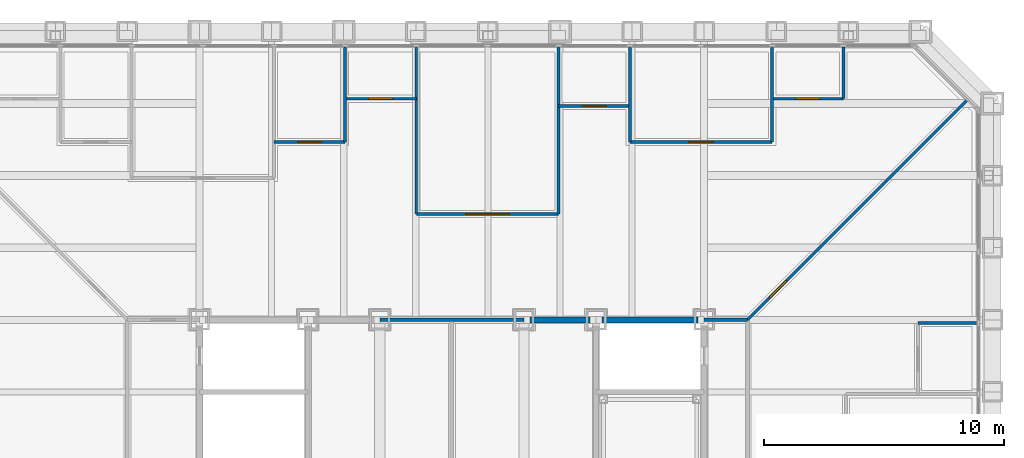
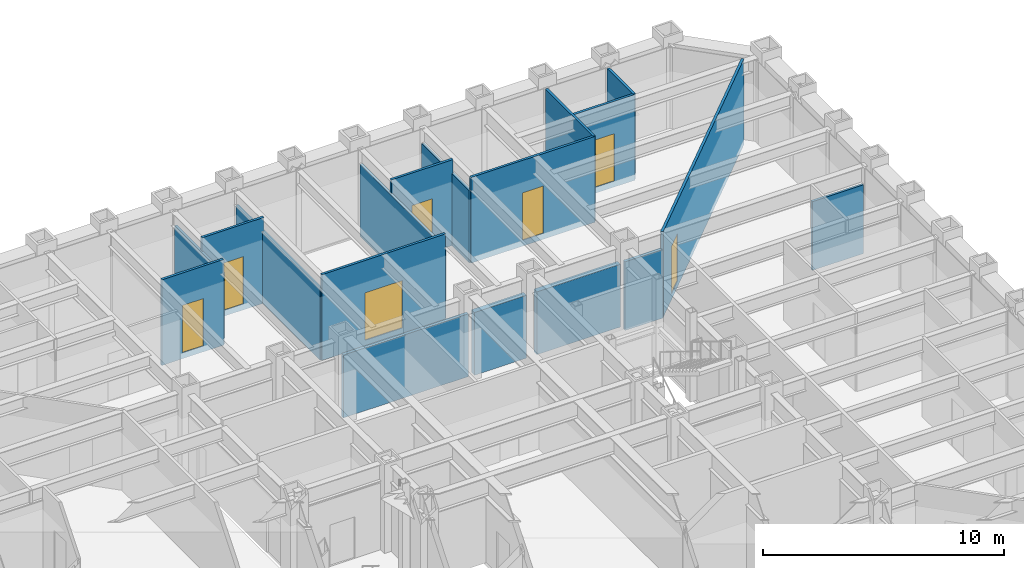
# One storey, part 11 of 17: 18 walls, 7 doors, 7 openings.
"""IFC4 building model written with IfcOpenShell, lengths in metres."""

from ifc_helpers import new_model, si_unit, direction, frame, frame_2d, origin, place, context, subcontext, project, spatial, rectangle, extrude, material, layer, layer_set, type_object, element, fill, save


model = new_model("IFC4")

# Units and contexts
model_context = context("Model", 3, precision=1e-05, world=origin(), true_north=direction((0.0, 1.0)))
body_context = subcontext(model_context, "Body", "Model", "MODEL_VIEW")
ifc_project = project(units=[si_unit("LENGTHUNIT", "METRE"), si_unit("AREAUNIT", "SQUARE_METRE"), si_unit("VOLUMEUNIT", "CUBIC_METRE"), si_unit("PLANEANGLEUNIT", "RADIAN"), si_unit("MASSUNIT", "GRAM", prefix="KILO")], contexts=[model_context])

# Site, building, storey
site_placement = place(None, origin())
site = spatial("IfcSite", under=ifc_project, at=site_placement, CompositionType="ELEMENT")
building_placement = place(site_placement, origin())
building = spatial("IfcBuilding", under=site, at=building_placement, Name="Chuquiago Exchange Tower", CompositionType="ELEMENT")
storey_placement = place(building_placement, frame((0.0, 0.0, 87.300048828125)))
storey = spatial("IfcBuildingStorey", under=building, at=storey_placement, Name="L18", CompositionType="ELEMENT", Elevation=87.300048828125)

# Walls
ifc_material_1 = material(Name="Concrete masonry, fully grouted", Category="masonry")
ifc_layer_1 = layer(ifc_material_1, 0.25)
ifc_layer_set_1 = layer_set([ifc_layer_1], Name="W1 core wall 250")
wall_type_1 = type_object("IfcWallType", Name="W1 core wall 250", PredefinedType="SOLIDWALL", material=ifc_layer_set_1)
wall_1_placement = place(storey_placement, frame((25.75, 33.0, 0.0), z_axis=(0.0, 0.0, 1.0), x_axis=(1.0, 0.0, 0.0)))
element("IfcWall", 1, at=wall_1_placement, inside=storey, type_object=wall_type_1, Name="CW-L18-12-0", PredefinedType="SOLIDWALL", context=body_context, shape_type="SweptSolid", body=[
    extrude(rectangle(XDim=2.5, YDim=0.25, at=frame_2d((1.25, 0.0))), origin(), (0.0, 0.0, 1.0), 3.181396484375),
])
wall_2_placement = place(storey_placement, frame((28.75, 33.0, 0.0), z_axis=(0.0, 0.0, 1.0), x_axis=(1.0, 0.0, 0.0)))
element("IfcWall", 2, at=wall_2_placement, inside=storey, type_object=wall_type_1, Name="CW-L18-12-1", PredefinedType="SOLIDWALL", context=body_context, shape_type="SweptSolid", body=[
    extrude(rectangle(XDim=4.0, YDim=0.25, at=frame_2d((2.0, 0.0))), origin(), (0.0, 0.0, 1.0), 3.181396484375),
])
ifc_material_2 = material(Name="Gypsum board on steel studs, acoustic insulation", Category="steel")
ifc_layer_2 = layer(ifc_material_2, 0.14990234375)
ifc_layer_set_2 = layer_set([ifc_layer_2], Name="W11 corridor wall 150")
wall_type_2 = type_object("IfcWallType", Name="W11 corridor wall 150", PredefinedType="PARTITIONING", material=ifc_layer_set_2)
wall_3_placement = place(storey_placement, frame((33.0, 33.0, -0.300048828125), z_axis=(0.0, 0.0, 1.0), x_axis=(1.0, 0.0, 0.0)))
element("IfcWall", 3, at=wall_3_placement, inside=storey, type_object=wall_type_2, Name="PW-L18-GEN0", PredefinedType="PARTITIONING", context=body_context, shape_type="SweptSolid", body=[
    extrude(rectangle(XDim=1.800048828125, YDim=0.14990234375, at=frame_2d((0.89990234375, 0.0))), origin(), (0.0, 0.0, 1.0), 3.4814453125),
])
ifc_material_3 = material(Name="Gypsum board on steel studs", Category="steel")
ifc_layer_3 = layer(ifc_material_3, 0.14990234375)
ifc_layer_set_3 = layer_set([ifc_layer_3], Name="W3 core partition 150")
wall_type_3 = type_object("IfcWallType", Name="W3 core partition 150", PredefinedType="PARTITIONING", material=ifc_layer_set_3)
wall_4_placement = place(storey_placement, frame((19.5, 33.0, 0.0), z_axis=(0.0, 0.0, 1.0), x_axis=(1.0, 0.0, 0.0)))
element("IfcWall", 4, at=wall_4_placement, inside=storey, type_object=wall_type_3, Name="CW-L18-TB", PredefinedType="PARTITIONING", context=body_context, shape_type="SweptSolid", body=[
    extrude(rectangle(XDim=6.0, YDim=0.14990234375, at=frame_2d((3.0, 0.0))), origin(), (0.0, 0.0, 1.0), 3.181396484375),
])
ifc_material_4 = material(Name="Gypsum board on steel studs", Category="steel")
ifc_layer_4 = layer(ifc_material_4, 0.1201171875)
ifc_layer_set_4 = layer_set([ifc_layer_4], Name="W4 partition 120")
wall_type_4 = type_object("IfcWallType", Name="W4 partition 120", PredefinedType="PARTITIONING", material=ifc_layer_set_4)
wall_5_placement = place(storey_placement, frame((44.342529296875, 32.8662109375, -0.300048828125), z_axis=(0.0, 0.0, 1.0), x_axis=(-1.0, 0.0, 0.0)))
element("IfcWall", 5, at=wall_5_placement, inside=storey, type_object=wall_type_4, Name="PW-L18-E03287", PredefinedType="PARTITIONING", context=body_context, shape_type="SweptSolid", body=[
    extrude(rectangle(XDim=2.442626953125, YDim=0.1201171875, at=frame_2d((1.22119140625, 0.0))), origin(), (0.0, 0.0, 1.0), 3.4814453125),
])
wall_6_placement = place(storey_placement, frame((18.057373046875, 44.342529296875, -0.300048828125), z_axis=(0.0, 0.0, 1.0), x_axis=(0.0, -1.0, 0.0)))
element("IfcWall", 6, at=wall_6_placement, inside=storey, type_object=wall_type_4, Name="PW-L18-N01806", PredefinedType="PARTITIONING", context=body_context, shape_type="SweptSolid", body=[
    extrude(rectangle(XDim=3.942626953125, YDim=0.1201171875, at=frame_2d((1.97119140625, 0.0))), origin(), (0.0, 0.0, 1.0), 3.646484375),
])
for number, where, z_axis, x_axis, name in (
    (7, (21.01904296875, 44.342529296875, -0.300048828125), (0.0, 0.0, 1.0), (0.0, -1.0, 0.0), "PW-L18-N02102"),
    (8, (26.942626953125, 44.342529296875, -0.300048828125), (0.0, 0.0, 1.0), (0.0, -1.0, 0.0), "PW-L18-N02694"),
):
    element("IfcWall", number, at=place(storey_placement, frame(where, z_axis=z_axis, x_axis=x_axis)), inside=storey, type_object=wall_type_4, Name=name, PredefinedType="PARTITIONING", context=body_context, shape_type="SweptSolid", body=[
        extrude(rectangle(XDim=6.942626953125, YDim=0.1201171875, at=frame_2d((3.47119140625, 0.0))), origin(), (0.0, 0.0, 1.0), 3.646484375),
    ])
wall_7_placement = place(storey_placement, frame((29.904296875, 44.342529296875, -0.300048828125), z_axis=(0.0, 0.0, 1.0), x_axis=(0.0, -1.0, 0.0)))
element("IfcWall", 9, at=wall_7_placement, inside=storey, type_object=wall_type_4, Name="PW-L18-N02990", PredefinedType="PARTITIONING", context=body_context, shape_type="SweptSolid", body=[
    extrude(rectangle(XDim=3.942626953125, YDim=0.1201171875, at=frame_2d((1.97119140625, 0.0))), origin(), (0.0, 0.0, 1.0), 3.646484375),
])
wall_8_placement = place(storey_placement, frame((35.827880859375, 44.342529296875, -0.300048828125), z_axis=(0.0, 0.0, 1.0), x_axis=(0.0, -1.0, 0.0)))
element("IfcWall", 10, at=wall_8_placement, inside=storey, type_object=wall_type_4, Name="PW-L18-N03583", PredefinedType="PARTITIONING", context=body_context, shape_type="SweptSolid", body=[
    extrude(rectangle(XDim=3.942626953125, YDim=0.1201171875, at=frame_2d((1.97119140625, 0.0))), origin(), (0.0, 0.0, 1.0), 4.340087890625),
])
wall_9_placement = place(storey_placement, frame((38.789794921875, 44.342529296875, -0.300048828125), z_axis=(0.0, 0.0, 1.0), x_axis=(0.0, -1.0, 0.0)))
element("IfcWall", 11, at=wall_9_placement, inside=storey, type_object=wall_type_4, Name="PW-L18-N03879", PredefinedType="PARTITIONING", context=body_context, shape_type="SweptSolid", body=[
    extrude(rectangle(XDim=2.142578125, YDim=0.1201171875, at=frame_2d((1.0712890625, 0.0))), origin(), (0.0, 0.0, 1.0), 4.340087890625),
])

# Wall, opening, door
wall_10_placement = place(storey_placement, frame((15.095703125, 40.39990234375, -0.300048828125), z_axis=(0.0, 0.0, 1.0), x_axis=(1.0, 0.0, 0.0)))
wall_10 = element("IfcWall", 12, at=wall_10_placement, inside=storey, type_object=wall_type_4, Name="PW-L18-NF01510", PredefinedType="PARTITIONING", context=body_context, shape_type="SweptSolid", body=[
    extrude(rectangle(XDim=2.961669921875, YDim=0.1201171875, at=frame_2d((1.48095703125, 0.0))), origin(), (0.0, 0.0, 1.0), 4.340087890625),
])
opening_1_placement = place(wall_10_placement, frame((0.98095703125, 0.0, 0.300048828125)))
opening_1 = element("IfcOpeningElement", 13, at=opening_1_placement, cuts=wall_10, Name="Opening L18-036", PredefinedType="OPENING", context=body_context, shape_type="SweptSolid", body=[
    extrude(rectangle(XDim=1.0, YDim=2.39990234375, at=frame_2d((0.5, 1.199951171875))), frame((0.0, 0.070068359375, 0.0), z_axis=(0.0, -1.0, 0.0), x_axis=(1.0, 0.0, 0.0)), (0.0, 0.0, 1.0), 0.14013671875),
])
ifc_material_5 = material(Name="Timber door, laminate faced", Category="wood")
door_type_1 = type_object("IfcDoorType", Name="D9 room door 1000x2400", OperationType="SINGLE_SWING_LEFT", PredefinedType="DOOR", material=ifc_material_5)
door_1_placement = place(opening_1_placement, origin())
door_1 = element("IfcDoor", 14, at=door_1_placement, inside=storey, type_object=door_type_1, Name="Office door", OperationType="SINGLE_SWING_LEFT", OverallHeight=2.39990234375, OverallWidth=1.0, PredefinedType="DOOR", context=body_context, shape_type="SweptSolid", body=[
    extrude(rectangle(XDim=1.0, YDim=2.39990234375, at=frame_2d((0.5, 1.199951171875))), frame((0.0, 0.02490234375, 0.0), z_axis=(0.0, -1.0, 0.0), x_axis=(1.0, 0.0, 0.0)), (0.0, 0.0, 1.0), 0.050048828125),
])
fill(opening_1, door_1)

wall_11_placement = place(storey_placement, frame((18.057373046875, 42.199951171875, -0.300048828125), z_axis=(0.0, 0.0, 1.0), x_axis=(1.0, 0.0, 0.0)))
wall_11 = element("IfcWall", 15, at=wall_11_placement, inside=storey, type_object=wall_type_4, Name="PW-L18-NF01806", PredefinedType="PARTITIONING", context=body_context, shape_type="SweptSolid", body=[
    extrude(rectangle(XDim=2.961669921875, YDim=0.1201171875, at=frame_2d((1.48095703125, 0.0))), origin(), (0.0, 0.0, 1.0), 4.340087890625),
])
opening_2_placement = place(wall_11_placement, frame((0.98095703125, 0.0, 0.300048828125)))
opening_2 = element("IfcOpeningElement", 16, at=opening_2_placement, cuts=wall_11, Name="Opening L18-037", PredefinedType="OPENING", context=body_context, shape_type="SweptSolid", body=[
    extrude(rectangle(XDim=1.0, YDim=2.39990234375, at=frame_2d((0.5, 1.199951171875))), frame((0.0, 0.070068359375, 0.0), z_axis=(0.0, -1.0, 0.0), x_axis=(1.0, 0.0, 0.0)), (0.0, 0.0, 1.0), 0.14013671875),
])
ifc_material_6 = material(Name="Timber frame door, full height glazed panel", Category="wood")
door_type_2 = type_object("IfcDoorType", Name="D14 glazed meeting room door 1000x2400", OperationType="SINGLE_SWING_LEFT", PredefinedType="DOOR", material=ifc_material_6)
door_2_placement = place(opening_2_placement, origin())
door_2 = element("IfcDoor", 17, at=door_2_placement, inside=storey, type_object=door_type_2, Name="Focus room door", OperationType="SINGLE_SWING_RIGHT", OverallHeight=2.39990234375, OverallWidth=1.0, PredefinedType="DOOR", context=body_context, shape_type="SweptSolid", body=[
    extrude(rectangle(XDim=1.0, YDim=2.39990234375, at=frame_2d((0.5, 1.199951171875))), frame((0.0, 0.02490234375, 0.0), z_axis=(0.0, -1.0, 0.0), x_axis=(1.0, 0.0, 0.0)), (0.0, 0.0, 1.0), 0.050048828125),
])
fill(opening_2, door_2)

wall_12_placement = place(storey_placement, frame((21.01904296875, 37.39990234375, -0.300048828125), z_axis=(0.0, 0.0, 1.0), x_axis=(1.0, 0.0, 0.0)))
wall_12 = element("IfcWall", 18, at=wall_12_placement, inside=storey, type_object=wall_type_4, Name="PW-L18-NF02102", PredefinedType="PARTITIONING", context=body_context, shape_type="SweptSolid", body=[
    extrude(rectangle(XDim=5.923583984375, YDim=0.1201171875, at=frame_2d((2.9619140625, 0.0))), origin(), (0.0, 0.0, 1.0), 4.340087890625),
])
opening_3_placement = place(wall_12_placement, frame((2.061767578125, 0.0, 0.300048828125)))
opening_3 = element("IfcOpeningElement", 19, at=opening_3_placement, cuts=wall_12, Name="Opening L18-038", PredefinedType="OPENING", context=body_context, shape_type="SweptSolid", body=[
    extrude(rectangle(XDim=1.800048828125, YDim=2.39990234375, at=frame_2d((0.89990234375, 1.199951171875))), frame((0.0, 0.070068359375, 0.0), z_axis=(0.0, -1.0, 0.0), x_axis=(1.0, 0.0, 0.0)), (0.0, 0.0, 1.0), 0.14013671875),
])
ifc_material_7 = material(Name="Timber door pair, laminate faced", Category="wood")
door_type_3 = type_object("IfcDoorType", Name="D15 double room door 1800x2400", OperationType="DOUBLE_DOOR_DOUBLE_SWING", PredefinedType="DOOR", material=ifc_material_7)
door_3_placement = place(opening_3_placement, origin())
door_3 = element("IfcDoor", 20, at=door_3_placement, inside=storey, type_object=door_type_3, Name="Training room door", OperationType="DOUBLE_DOOR_DOUBLE_SWING", OverallHeight=2.39990234375, OverallWidth=1.800048828125, PredefinedType="DOOR", context=body_context, shape_type="SweptSolid", body=[
    extrude(rectangle(XDim=1.800048828125, YDim=2.39990234375, at=frame_2d((0.89990234375, 1.199951171875))), frame((0.0, 0.02490234375, 0.0), z_axis=(0.0, -1.0, 0.0), x_axis=(1.0, 0.0, 0.0)), (0.0, 0.0, 1.0), 0.050048828125),
])
fill(opening_3, door_3)

wall_13_placement = place(storey_placement, frame((26.942626953125, 41.89990234375, -0.300048828125), z_axis=(0.0, 0.0, 1.0), x_axis=(1.0, 0.0, 0.0)))
wall_13 = element("IfcWall", 21, at=wall_13_placement, inside=storey, type_object=wall_type_4, Name="PW-L18-NF02694", PredefinedType="PARTITIONING", context=body_context, shape_type="SweptSolid", body=[
    extrude(rectangle(XDim=2.961669921875, YDim=0.1201171875, at=frame_2d((1.48095703125, 0.0))), origin(), (0.0, 0.0, 1.0), 4.340087890625),
])
opening_4_placement = place(wall_13_placement, frame((0.98095703125, 0.0, 0.300048828125)))
opening_4 = element("IfcOpeningElement", 22, at=opening_4_placement, cuts=wall_13, Name="Opening L18-039", PredefinedType="OPENING", context=body_context, shape_type="SweptSolid", body=[
    extrude(rectangle(XDim=1.0, YDim=2.39990234375, at=frame_2d((0.5, 1.199951171875))), frame((0.0, 0.070068359375, 0.0), z_axis=(0.0, -1.0, 0.0), x_axis=(1.0, 0.0, 0.0)), (0.0, 0.0, 1.0), 0.14013671875),
])
door_4_placement = place(opening_4_placement, origin())
door_4 = element("IfcDoor", 23, at=door_4_placement, inside=storey, type_object=door_type_1, Name="Store door", OperationType="SINGLE_SWING_LEFT", OverallHeight=2.39990234375, OverallWidth=1.0, PredefinedType="DOOR", context=body_context, shape_type="SweptSolid", body=[
    extrude(rectangle(XDim=1.0, YDim=2.39990234375, at=frame_2d((0.5, 1.199951171875))), frame((0.0, 0.02490234375, 0.0), z_axis=(0.0, -1.0, 0.0), x_axis=(1.0, 0.0, 0.0)), (0.0, 0.0, 1.0), 0.050048828125),
])
fill(opening_4, door_4)

wall_14_placement = place(storey_placement, frame((29.904296875, 40.39990234375, -0.300048828125), z_axis=(0.0, 0.0, 1.0), x_axis=(1.0, 0.0, 0.0)))
wall_14 = element("IfcWall", 24, at=wall_14_placement, inside=storey, type_object=wall_type_4, Name="PW-L18-NF02990", PredefinedType="PARTITIONING", context=body_context, shape_type="SweptSolid", body=[
    extrude(rectangle(XDim=5.923583984375, YDim=0.1201171875, at=frame_2d((2.9619140625, 0.0))), origin(), (0.0, 0.0, 1.0), 4.340087890625),
])
opening_5_placement = place(wall_14_placement, frame((2.4619140625, 0.0, 0.300048828125)))
opening_5 = element("IfcOpeningElement", 25, at=opening_5_placement, cuts=wall_14, Name="Opening L18-040", PredefinedType="OPENING", context=body_context, shape_type="SweptSolid", body=[
    extrude(rectangle(XDim=1.0, YDim=2.39990234375, at=frame_2d((0.5, 1.199951171875))), frame((0.0, 0.070068359375, 0.0), z_axis=(0.0, -1.0, 0.0), x_axis=(1.0, 0.0, 0.0)), (0.0, 0.0, 1.0), 0.14013671875),
])
door_5_placement = place(opening_5_placement, origin())
door_5 = element("IfcDoor", 26, at=door_5_placement, inside=storey, type_object=door_type_1, Name="Office door", OperationType="SINGLE_SWING_RIGHT", OverallHeight=2.39990234375, OverallWidth=1.0, PredefinedType="DOOR", context=body_context, shape_type="SweptSolid", body=[
    extrude(rectangle(XDim=1.0, YDim=2.39990234375, at=frame_2d((0.5, 1.199951171875))), frame((0.0, 0.02490234375, 0.0), z_axis=(0.0, -1.0, 0.0), x_axis=(1.0, 0.0, 0.0)), (0.0, 0.0, 1.0), 0.050048828125),
])
fill(opening_5, door_5)

wall_15_placement = place(storey_placement, frame((35.827880859375, 42.199951171875, -0.300048828125), z_axis=(0.0, 0.0, 1.0), x_axis=(1.0, 0.0, 0.0)))
wall_15 = element("IfcWall", 27, at=wall_15_placement, inside=storey, type_object=wall_type_4, Name="PW-L18-NF03583", PredefinedType="PARTITIONING", context=body_context, shape_type="SweptSolid", body=[
    extrude(rectangle(XDim=2.9619140625, YDim=0.1201171875, at=frame_2d((1.48095703125, 0.0))), origin(), (0.0, 0.0, 1.0), 4.340087890625),
])
opening_6_placement = place(wall_15_placement, frame((0.98095703125, 0.0, 0.300048828125)))
opening_6 = element("IfcOpeningElement", 28, at=opening_6_placement, cuts=wall_15, Name="Opening L18-041", PredefinedType="OPENING", context=body_context, shape_type="SweptSolid", body=[
    extrude(rectangle(XDim=1.0, YDim=2.39990234375, at=frame_2d((0.5, 1.199951171875))), frame((0.0, 0.070068359375, 0.0), z_axis=(0.0, -1.0, 0.0), x_axis=(1.0, 0.0, 0.0)), (0.0, 0.0, 1.0), 0.14013671875),
])
door_6_placement = place(opening_6_placement, origin())
door_6 = element("IfcDoor", 29, at=door_6_placement, inside=storey, type_object=door_type_2, Name="Focus room door", OperationType="SINGLE_SWING_LEFT", OverallHeight=2.39990234375, OverallWidth=1.0, PredefinedType="DOOR", context=body_context, shape_type="SweptSolid", body=[
    extrude(rectangle(XDim=1.0, YDim=2.39990234375, at=frame_2d((0.5, 1.199951171875))), frame((0.0, 0.02490234375, 0.0), z_axis=(0.0, -1.0, 0.0), x_axis=(1.0, 0.0, 0.0)), (0.0, 0.0, 1.0), 0.050048828125),
])
fill(opening_6, door_6)

wall_16_placement = place(storey_placement, frame((34.800048828125, 33.0, -0.300048828125), z_axis=(0.0, 0.0, 1.0), x_axis=(0.707106781187, 0.707106781187, 0.0)))
wall_16 = element("IfcWall", 30, at=wall_16_placement, inside=storey, type_object=wall_type_4, Name="PW-L18-QNE", PredefinedType="PARTITIONING", context=body_context, shape_type="SweptSolid", body=[
    extrude(rectangle(XDim=12.9443359375, YDim=0.1201171875, at=frame_2d((6.47216796875, 0.0))), origin(), (0.0, 0.0, 1.0), 4.340087890625),
])
opening_7_placement = place(wall_16_placement, frame((1.300048828125, 0.0, 0.300048828125)))
opening_7 = element("IfcOpeningElement", 31, at=opening_7_placement, cuts=wall_16, Name="Opening L18-051", PredefinedType="OPENING", context=body_context, shape_type="SweptSolid", body=[
    extrude(rectangle(XDim=1.0, YDim=2.39990234375, at=frame_2d((0.5, 1.199951171875))), frame((0.0, 0.070068359375, 0.0), z_axis=(0.0, -1.0, 0.0), x_axis=(1.0, 0.0, 0.0)), (0.0, 0.0, 1.0), 0.14013671875),
])
door_7_placement = place(opening_7_placement, frame((1.0, 0.0, 0.0), z_axis=(0.0, 0.0, 1.0), x_axis=(-1.0, 0.0, 0.0)))
door_7 = element("IfcDoor", 32, at=door_7_placement, inside=storey, type_object=door_type_1, Name="Team area door", OperationType="SINGLE_SWING_RIGHT", OverallHeight=2.39990234375, OverallWidth=1.0, PredefinedType="DOOR", context=body_context, shape_type="SweptSolid", body=[
    extrude(rectangle(XDim=1.0, YDim=2.39990234375, at=frame_2d((0.5, 1.199951171875))), frame((0.0, 0.02490234375, 0.0), z_axis=(0.0, -1.0, 0.0), x_axis=(1.0, 0.0, 0.0)), (0.0, 0.0, 1.0), 0.050048828125),
])
fill(opening_7, door_7)

save(model, "model.ifc")
